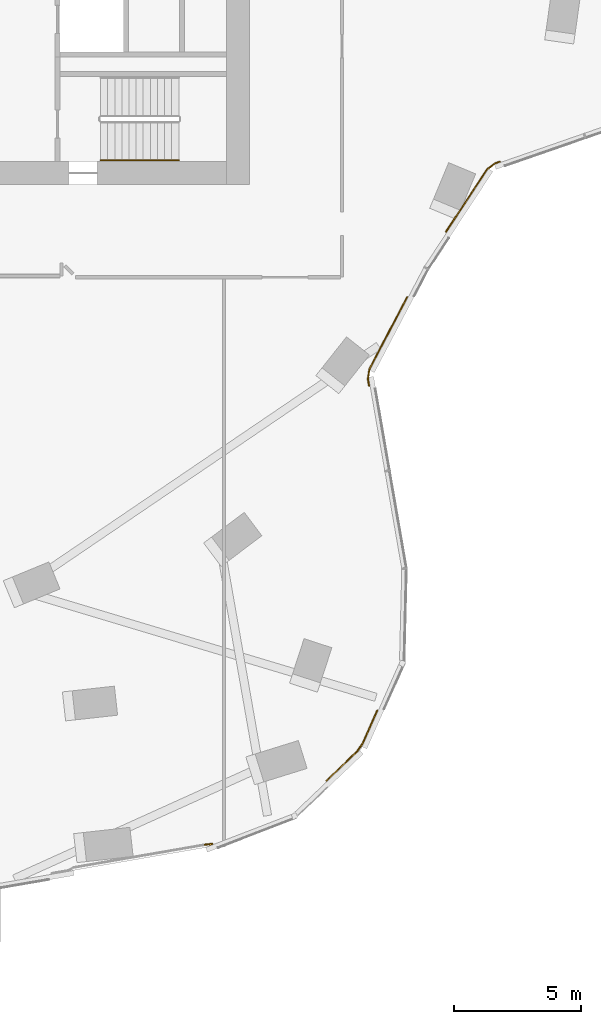
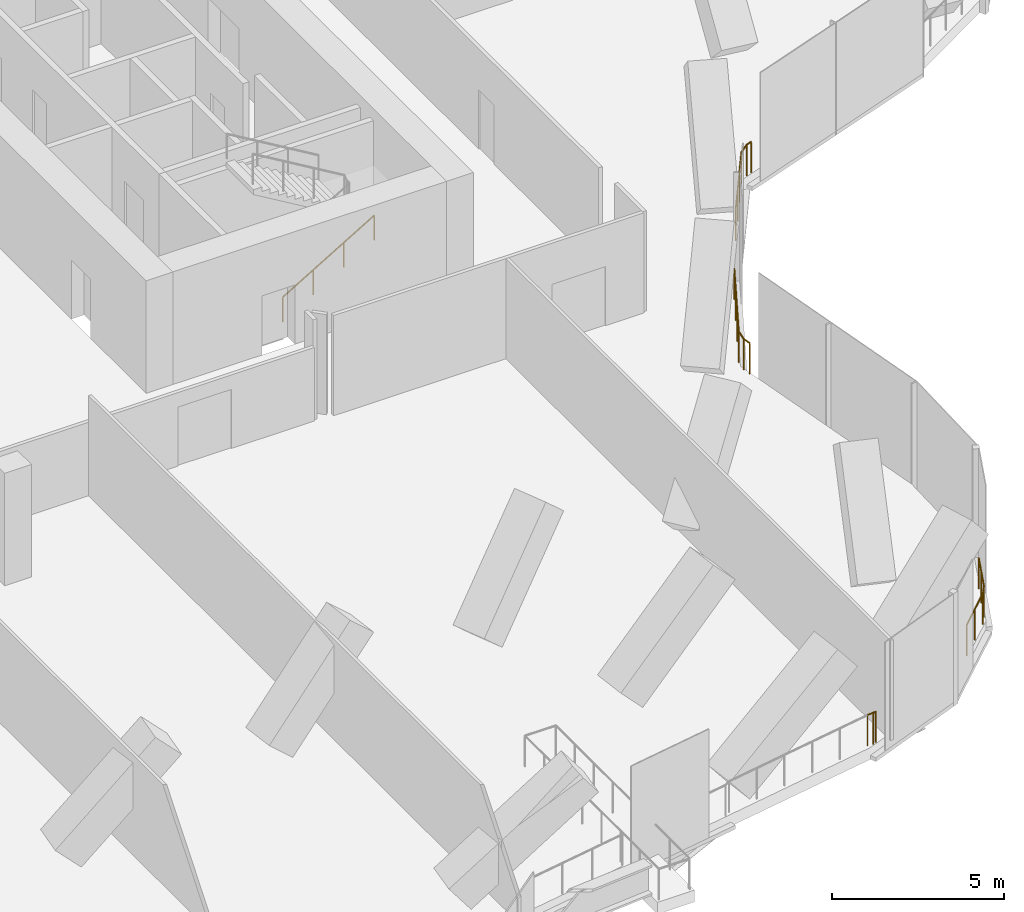
# One storey, part 23 of 26: 5 railings.
"""IFC4 building model written with IfcOpenShell, lengths in metres."""

from ifc_helpers import new_model, si_unit, direction, frame, origin, origin_2d, place, context, subcontext, project, spatial, circle, extrude, material, type_object, element, save


model = new_model("IFC4")

# Units and contexts
model_context = context("Model", 3, precision=1e-05, world=origin(), true_north=direction((0.0, 1.0)))
body_context = subcontext(model_context, "Body", "Model", "MODEL_VIEW")
ifc_project = project(units=[si_unit("LENGTHUNIT", "METRE"), si_unit("AREAUNIT", "SQUARE_METRE"), si_unit("VOLUMEUNIT", "CUBIC_METRE"), si_unit("PLANEANGLEUNIT", "RADIAN"), si_unit("MASSUNIT", "GRAM", prefix="KILO")], contexts=[model_context])

# Site, building, storey
site_placement = place(None, origin())
site = spatial("IfcSite", under=ifc_project, at=site_placement, CompositionType="ELEMENT")
building_placement = place(site_placement, origin())
building = spatial("IfcBuilding", under=site, at=building_placement, Name="Orlundy Tower", CompositionType="ELEMENT")
storey_placement = place(building_placement, frame((0.0, 0.0, 249.5)))
storey = spatial("IfcBuildingStorey", under=building, at=storey_placement, Name="L66", CompositionType="ELEMENT", Elevation=249.5)

# Railings
ifc_material_1 = material(Name="Steel handrail", Category="steel")
railing_type_1 = type_object("IfcRailingType", Name="Stair Handrail 900", PredefinedType="HANDRAIL", material=ifc_material_1)
railing_1_placement = place(storey_placement, frame((13.139892578125, -11.050048828125, 0.166748046875)))
element("IfcRailing", 1, at=railing_1_placement, inside=storey, type_object=railing_type_1, Name="L66 ST-E1 stair handrail 1", PredefinedType="HANDRAIL", context=body_context, shape_type="SweptSolid", body=[
    extrude(circle(Radius=0.02392578125, at=origin_2d()), frame((0.0, 0.0, 0.8759765625), z_axis=(0.859308565015, 0.0, 0.511457515432), x_axis=(0.0, 1.0, 0.0)), (0.0, 0.0, 1.0), 3.58447265625),
    extrude(circle(Radius=0.02099609375, at=origin_2d()), origin(), (0.0, 0.0, 1.0), 0.851806640625),
    extrude(circle(Radius=0.02099609375, at=origin_2d()), frame((1.026611328125, 0.0, 0.611083984375)), (0.0, 0.0, 1.0), 0.851806640625),
    extrude(circle(Radius=0.02099609375, at=origin_2d()), frame((2.053466796875, 0.0, 1.22216796875)), (0.0, 0.0, 1.0), 0.851806640625),
    extrude(circle(Radius=0.02099609375, at=origin_2d()), frame((3.080078125, 0.0, 1.833251953125)), (0.0, 0.0, 1.0), 0.851806640625),
])
ifc_material_2 = material(Name="Stainless steel bronze finish", Category="steel")
railing_type_2 = type_object("IfcRailingType", Name="TG1 terrace guard", PredefinedType="GUARDRAIL", material=ifc_material_2)
railing_2_placement = place(storey_placement, frame((25.213134765625, -16.430908203125, 0.0)))
element("IfcRailing", 2, at=railing_2_placement, inside=storey, type_object=railing_type_2, Name="Guard TG-L66-E012", PredefinedType="GUARDRAIL", context=body_context, shape_type="SweptSolid", body=[
    extrude(circle(Radius=0.02490234375, at=origin_2d()), frame((0.0, 0.0, 1.09521484375), z_axis=(-0.46426372801, -0.885697008493, 0.0), x_axis=(0.885697008493, -0.46426372801, 0.0)), (0.0, 0.0, 1.0), 3.19775390625),
    extrude(circle(Radius=0.02490234375, at=origin_2d()), frame((-1.484619140625, -2.832275390625, 1.09521484375), z_axis=(-0.155094804431, -0.987899590869, 0.0), x_axis=(0.987899590869, -0.155094804431, 0.0)), (0.0, 0.0, 1.0), 0.404541015625),
    extrude(circle(Radius=0.02490234375, at=origin_2d()), frame((-1.54736328125, -3.23193359375, 1.09521484375), z_axis=(0.170727947297, -0.985318206475, 0.0), x_axis=(0.985318206475, 0.170727947297, 0.0)), (0.0, 0.0, 1.0), 0.268798828125),
    extrude(circle(Radius=0.02001953125, at=origin_2d()), origin(), (0.0, 0.0, 1.0), 1.070068359375),
    extrude(circle(Radius=0.02001953125, at=origin_2d()), frame((-0.494873046875, -0.944091796875, 0.0)), (0.0, 0.0, 1.0), 1.070068359375),
    extrude(circle(Radius=0.02001953125, at=origin_2d()), frame((-0.98974609375, -1.88818359375, 0.0)), (0.0, 0.0, 1.0), 1.070068359375),
    extrude(circle(Radius=0.02001953125, at=origin_2d()), frame((-1.484619140625, -2.832275390625, 0.0)), (0.0, 0.0, 1.0), 1.070068359375),
    extrude(circle(Radius=0.02001953125, at=origin_2d()), frame((-1.54736328125, -3.23193359375, 0.0)), (0.0, 0.0, 1.0), 1.070068359375),
    extrude(circle(Radius=0.02001953125, at=origin_2d()), frame((-1.50146484375, -3.496826171875, 0.0)), (0.0, 0.0, 1.0), 1.070068359375),
])
railing_3_placement = place(storey_placement, frame((28.85400390625, -11.10205078125, 0.0)))
element("IfcRailing", 3, at=railing_3_placement, inside=storey, type_object=railing_type_2, Name="Guard TG-L66-E017", PredefinedType="GUARDRAIL", context=body_context, shape_type="SweptSolid", body=[
    extrude(circle(Radius=0.02490234375, at=origin_2d()), frame((0.0, 0.0, 1.09521484375), z_axis=(-0.944836198499, -0.32754321548, 0.0), x_axis=(0.32754321548, -0.944836198499, 0.0)), (0.0, 0.0, 1.0), 0.19384765625),
    extrude(circle(Radius=0.02490234375, at=origin_2d()), frame((-0.18310546875, -0.0634765625, 1.09521484375), z_axis=(-0.78892949742, -0.614483724846, 0.0), x_axis=(0.614483724846, -0.78892949742, 0.0)), (0.0, 0.0, 1.0), 0.404541015625),
    extrude(circle(Radius=0.02490234375, at=origin_2d()), frame((-0.502197265625, -0.31201171875, 1.09521484375), z_axis=(-0.549573640169, -0.835445278897, 0.0), x_axis=(0.835445278897, -0.549573640169, 0.0)), (0.0, 0.0, 1.0), 2.92919921875),
    extrude(circle(Radius=0.02001953125, at=origin_2d()), origin(), (0.0, 0.0, 1.0), 1.070068359375),
    extrude(circle(Radius=0.02001953125, at=origin_2d()), frame((-0.18310546875, -0.0634765625, 0.0)), (0.0, 0.0, 1.0), 1.070068359375),
    extrude(circle(Radius=0.02001953125, at=origin_2d()), frame((-0.502197265625, -0.31201171875, 0.0)), (0.0, 0.0, 1.0), 1.070068359375),
    extrude(circle(Radius=0.02001953125, at=origin_2d()), frame((-1.038818359375, -1.127685546875, 0.0)), (0.0, 0.0, 1.0), 1.070068359375),
    extrude(circle(Radius=0.02001953125, at=origin_2d()), frame((-1.575439453125, -1.943603515625, 0.0)), (0.0, 0.0, 1.0), 1.070068359375),
    extrude(circle(Radius=0.02001953125, at=origin_2d()), frame((-2.112060546875, -2.75927734375, 0.0)), (0.0, 0.0, 1.0), 1.070068359375),
])
railing_4_placement = place(storey_placement, frame((24.032958984375, -32.710693359375, 0.0)))
element("IfcRailing", 4, at=railing_4_placement, inside=storey, type_object=railing_type_2, Name="Guard TG-L66-E019", PredefinedType="GUARDRAIL", context=body_context, shape_type="SweptSolid", body=[
    extrude(circle(Radius=0.02490234375, at=origin_2d()), frame((0.0, 0.0, 1.09521484375), z_axis=(-0.405476120167, -0.914105637207, 0.0), x_axis=(0.914105637207, -0.405476120167, 0.0)), (0.0, 0.0, 1.0), 1.4365234375),
    extrude(circle(Radius=0.02490234375, at=origin_2d()), frame((-0.58251953125, -1.313232421875, 1.09521484375), z_axis=(-0.576199608472, -0.817309005943, 0.0), x_axis=(0.817309005943, -0.576199608472, 0.0)), (0.0, 0.0, 1.0), 0.376708984375),
    extrude(circle(Radius=0.02490234375, at=origin_2d()), frame((-0.799560546875, -1.62109375, 1.09521484375), z_axis=(-0.724394318415, -0.689385865425, 0.0), x_axis=(0.689385865425, -0.724394318415, 0.0)), (0.0, 0.0, 1.0), 1.65283203125),
    extrude(circle(Radius=0.02001953125, at=origin_2d()), origin(), (0.0, 0.0, 1.0), 1.070068359375),
    extrude(circle(Radius=0.02001953125, at=origin_2d()), frame((-0.291259765625, -0.65673828125, 0.0)), (0.0, 0.0, 1.0), 1.070068359375),
    extrude(circle(Radius=0.02001953125, at=origin_2d()), frame((-0.58251953125, -1.313232421875, 0.0)), (0.0, 0.0, 1.0), 1.070068359375),
    extrude(circle(Radius=0.02001953125, at=origin_2d()), frame((-0.799560546875, -1.62109375, 0.0)), (0.0, 0.0, 1.0), 1.070068359375),
    extrude(circle(Radius=0.02001953125, at=origin_2d()), frame((-1.398193359375, -2.19091796875, 0.0)), (0.0, 0.0, 1.0), 1.070068359375),
    extrude(circle(Radius=0.02001953125, at=origin_2d()), frame((-1.996826171875, -2.760498046875, 0.0)), (0.0, 0.0, 1.0), 1.070068359375),
])
railing_5_placement = place(storey_placement, frame((17.241455078125, -37.993896484375, 0.0)))
element("IfcRailing", 5, at=railing_5_placement, inside=storey, type_object=railing_type_2, Name="Guard TG-L66-E027", PredefinedType="GUARDRAIL", context=body_context, shape_type="SweptSolid", body=[
    extrude(circle(Radius=0.02490234375, at=origin_2d()), frame((0.0, 0.0, 1.09521484375), z_axis=(0.994195360155, 0.107589896583, 0.0), x_axis=(-0.107589896583, 0.994195360155, 0.0)), (0.0, 0.0, 1.0), 0.3017578125),
    extrude(circle(Radius=0.02490234375, at=origin_2d()), frame((0.300048828125, 0.032470703125, 1.09521484375), z_axis=(-0.933509550965, -0.358552532075, 0.0), x_axis=(0.358552532075, -0.933509550965, 0.0)), (0.0, 0.0, 1.0), 0.114990234375),
    extrude(circle(Radius=0.02001953125, at=origin_2d()), origin(), (0.0, 0.0, 1.0), 1.070068359375),
    extrude(circle(Radius=0.02001953125, at=origin_2d()), frame((0.300048828125, 0.032470703125, 0.0)), (0.0, 0.0, 1.0), 1.070068359375),
    extrude(circle(Radius=0.02001953125, at=origin_2d()), frame((0.192626953125, -0.0087890625, 0.0)), (0.0, 0.0, 1.0), 1.070068359375),
])

save(model, "model.ifc")
